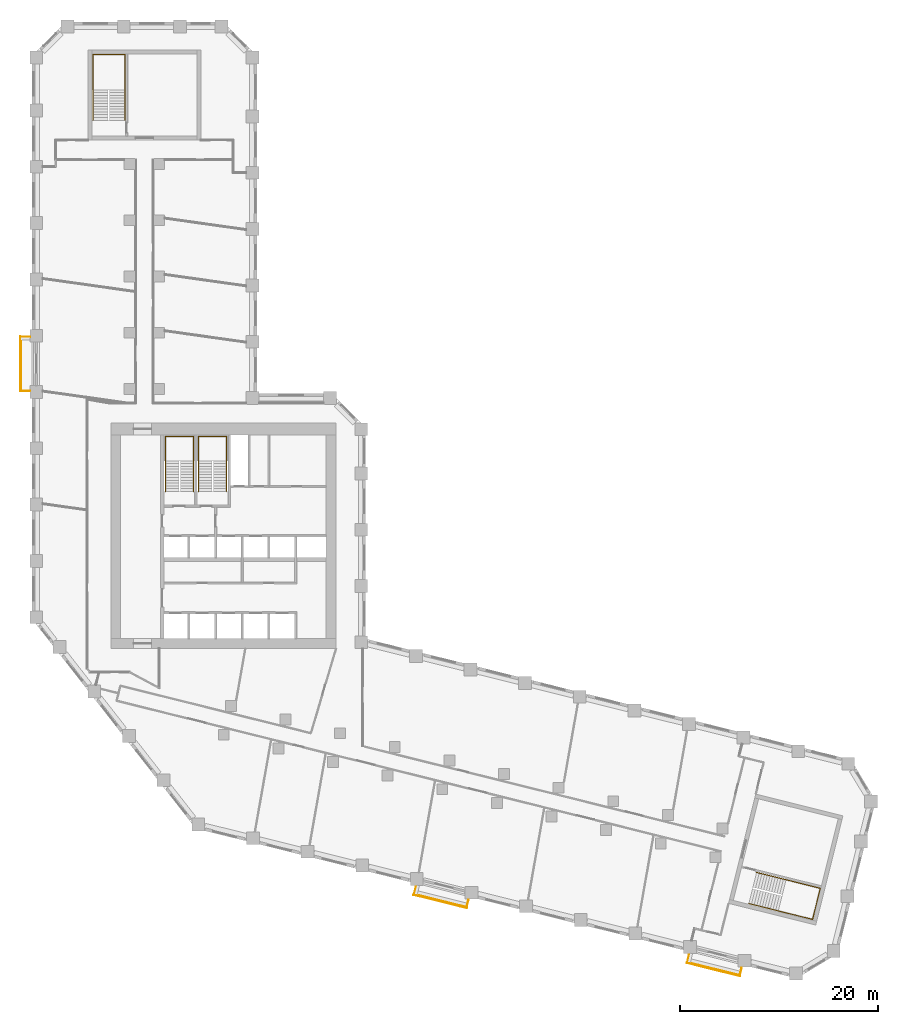
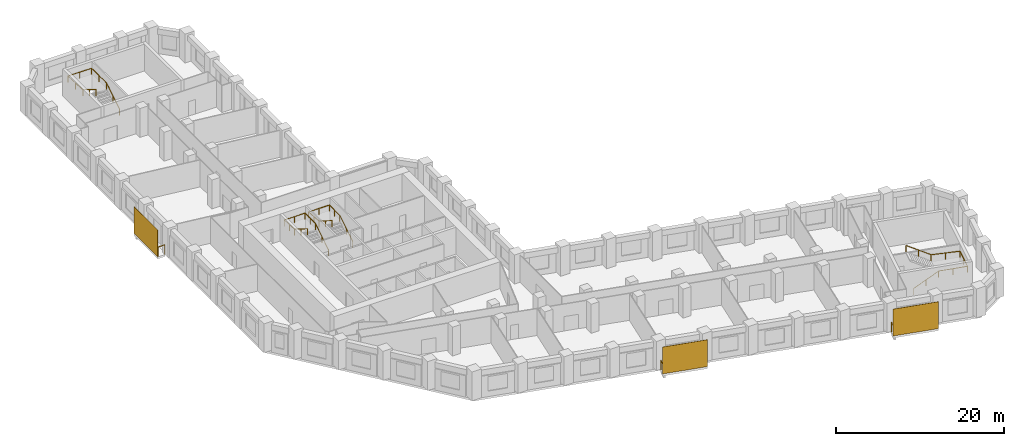
# One storey, part 10 of 10: 7 railings, 3 shading devices.
"""IFC4 building model written with IfcOpenShell, lengths in metres."""

from ifc_helpers import new_model, si_unit, direction, frame, origin, origin_2d, place, context, subcontext, project, spatial, rectangle, circle, extrude, material, layer, layer_set, type_object, element, save


model = new_model("IFC4")

# Units and contexts
model_context = context("Model", 3, precision=1e-05, world=origin(), true_north=direction((0.0, 1.0)))
body_context = subcontext(model_context, "Body", "Model", "MODEL_VIEW")
ifc_project = project(units=[si_unit("LENGTHUNIT", "METRE"), si_unit("AREAUNIT", "SQUARE_METRE"), si_unit("VOLUMEUNIT", "CUBIC_METRE"), si_unit("PLANEANGLEUNIT", "RADIAN"), si_unit("MASSUNIT", "GRAM", prefix="KILO")], contexts=[model_context])

# Site, building, storey
site_placement = place(None, origin())
site = spatial("IfcSite", under=ifc_project, at=site_placement, CompositionType="ELEMENT")
building_placement = place(site_placement, origin())
building = spatial("IfcBuilding", under=site, at=building_placement, Name="Meshkara Civic Tower", CompositionType="ELEMENT")
storey_placement = place(building_placement, frame((0.0, 0.0, 118.199951171875)))
storey = spatial("IfcBuildingStorey", under=building, at=storey_placement, Name="L26", CompositionType="ELEMENT", Elevation=118.199951171875)

# Railings
ifc_material_1 = material(Name="Steel S355", Category="steel")
railing_type_1 = type_object("IfcRailingType", Name="BALUSTRADE GUARD 1400", PredefinedType="BALUSTRADE", material=ifc_material_1)
railing_1_placement = place(storey_placement, frame((-0.199951171875, 45.635009765625, 0.0)))
element("IfcRailing", 1, at=railing_1_placement, inside=storey, type_object=railing_type_1, Name="Balcony guard", PredefinedType="BALUSTRADE", context=body_context, shape_type="SweptSolid", body=[
    extrude(circle(Radius=0.02392578125, at=origin_2d()), frame((0.0, 0.0, 1.3759765625), z_axis=(-1.0, 0.0, 0.0), x_axis=(0.0, -1.0, 0.0)), (0.0, 0.0, 1.0), 0.91015625),
    extrude(circle(Radius=0.02392578125, at=origin_2d()), frame((-0.91015625, 0.0, 1.3759765625), z_axis=(0.0, -1.0, 0.0), x_axis=(1.0, 0.0, 0.0)), (0.0, 0.0, 1.0), 5.4599609375),
    extrude(circle(Radius=0.02392578125, at=origin_2d()), frame((-0.91015625, -5.4599609375, 1.3759765625), z_axis=(1.0, 0.0, 0.0), x_axis=(0.0, 1.0, 0.0)), (0.0, 0.0, 1.0), 0.91015625),
    extrude(circle(Radius=0.02099609375, at=origin_2d()), origin(), (0.0, 0.0, 1.0), 1.351806640625),
    extrude(circle(Radius=0.02099609375, at=origin_2d()), frame((-0.91015625, 0.0, 0.0)), (0.0, 0.0, 1.0), 1.351806640625),
    extrude(circle(Radius=0.02099609375, at=origin_2d()), frame((-0.91015625, -1.092041015625, 0.0)), (0.0, 0.0, 1.0), 1.351806640625),
    extrude(circle(Radius=0.02099609375, at=origin_2d()), frame((-0.91015625, -2.18408203125, 0.0)), (0.0, 0.0, 1.0), 1.351806640625),
    extrude(circle(Radius=0.02099609375, at=origin_2d()), frame((-0.91015625, -3.27587890625, 0.0)), (0.0, 0.0, 1.0), 1.351806640625),
    extrude(circle(Radius=0.02099609375, at=origin_2d()), frame((-0.91015625, -4.367919921875, 0.0)), (0.0, 0.0, 1.0), 1.351806640625),
    extrude(circle(Radius=0.02099609375, at=origin_2d()), frame((-0.91015625, -5.4599609375, 0.0)), (0.0, 0.0, 1.0), 1.351806640625),
    extrude(circle(Radius=0.02099609375, at=origin_2d()), frame((0.0, -5.4599609375, 0.0)), (0.0, 0.0, 1.0), 1.351806640625),
])
railing_2_placement = place(storey_placement, frame((38.89990234375, -10.047119140625, 0.0)))
element("IfcRailing", 2, at=railing_2_placement, inside=storey, type_object=railing_type_1, Name="Balcony guard", PredefinedType="BALUSTRADE", context=body_context, shape_type="SweptSolid", body=[
    extrude(circle(Radius=0.02392578125, at=origin_2d()), frame((0.0, 0.0, 1.3759765625), z_axis=(-0.242312323582, -0.970198298205, 0.0), x_axis=(0.970198298205, -0.242312323582, 0.0)), (0.0, 0.0, 1.0), 0.771728515625),
    extrude(circle(Radius=0.02392578125, at=origin_2d()), frame((-0.18701171875, -0.748779296875, 1.3759765625), z_axis=(0.970292231073, -0.24193591366, 0.0), x_axis=(0.24193591366, 0.970292231073, 0.0)), (0.0, 0.0, 1.0), 5.460205078125),
    extrude(circle(Radius=0.02392578125, at=origin_2d()), frame((5.111083984375, -2.06982421875, 1.3759765625), z_axis=(0.242237978263, 0.970216863329, 0.0), x_axis=(-0.970216863329, 0.242237978263, 0.0)), (0.0, 0.0, 1.0), 0.77197265625),
    extrude(circle(Radius=0.02099609375, at=origin_2d()), origin(), (0.0, 0.0, 1.0), 1.351806640625),
    extrude(circle(Radius=0.02099609375, at=origin_2d()), frame((-0.18701171875, -0.748779296875, 0.0)), (0.0, 0.0, 1.0), 1.351806640625),
    extrude(circle(Radius=0.02099609375, at=origin_2d()), frame((0.87255859375, -1.012939453125, 0.0)), (0.0, 0.0, 1.0), 1.351806640625),
    extrude(circle(Radius=0.02099609375, at=origin_2d()), frame((1.93212890625, -1.277099609375, 0.0)), (0.0, 0.0, 1.0), 1.351806640625),
    extrude(circle(Radius=0.02099609375, at=origin_2d()), frame((2.991943359375, -1.54150390625, 0.0)), (0.0, 0.0, 1.0), 1.351806640625),
    extrude(circle(Radius=0.02099609375, at=origin_2d()), frame((4.051513671875, -1.8056640625, 0.0)), (0.0, 0.0, 1.0), 1.351806640625),
    extrude(circle(Radius=0.02099609375, at=origin_2d()), frame((5.111083984375, -2.06982421875, 0.0)), (0.0, 0.0, 1.0), 1.351806640625),
    extrude(circle(Radius=0.02099609375, at=origin_2d()), frame((5.298095703125, -1.32080078125, 0.0)), (0.0, 0.0, 1.0), 1.351806640625),
])
railing_3_placement = place(storey_placement, frame((66.552978515625, -16.94091796875, 0.0)))
element("IfcRailing", 3, at=railing_3_placement, inside=storey, type_object=railing_type_1, Name="Balcony guard", PredefinedType="BALUSTRADE", context=body_context, shape_type="SweptSolid", body=[
    extrude(circle(Radius=0.02392578125, at=origin_2d()), frame((0.0, 0.0, 1.3759765625), z_axis=(-0.241941038466, -0.970290953223, 0.0), x_axis=(0.970290953223, -0.241941038466, 0.0)), (0.0, 0.0, 1.0), 0.77294921875),
    extrude(circle(Radius=0.02392578125, at=origin_2d()), frame((-0.18701171875, -0.75, 1.3759765625), z_axis=(0.97033420246, -0.241767523741, 0.0), x_axis=(0.241767523741, 0.97033420246, 0.0)), (0.0, 0.0, 1.0), 5.4599609375),
    extrude(circle(Radius=0.02392578125, at=origin_2d()), frame((5.111083984375, -2.070068359375, 1.3759765625), z_axis=(0.242237978263, 0.970216863329, 0.0), x_axis=(-0.970216863329, 0.242237978263, 0.0)), (0.0, 0.0, 1.0), 0.77197265625),
    extrude(circle(Radius=0.02099609375, at=origin_2d()), origin(), (0.0, 0.0, 1.0), 1.351806640625),
    extrude(circle(Radius=0.02099609375, at=origin_2d()), frame((-0.18701171875, -0.75, 0.0)), (0.0, 0.0, 1.0), 1.351806640625),
    extrude(circle(Radius=0.02099609375, at=origin_2d()), frame((0.87255859375, -1.013916015625, 0.0)), (0.0, 0.0, 1.0), 1.351806640625),
    extrude(circle(Radius=0.02099609375, at=origin_2d()), frame((1.93212890625, -1.278076171875, 0.0)), (0.0, 0.0, 1.0), 1.351806640625),
    extrude(circle(Radius=0.02099609375, at=origin_2d()), frame((2.991943359375, -1.5419921875, 0.0)), (0.0, 0.0, 1.0), 1.351806640625),
    extrude(circle(Radius=0.02099609375, at=origin_2d()), frame((4.051513671875, -1.80615234375, 0.0)), (0.0, 0.0, 1.0), 1.351806640625),
    extrude(circle(Radius=0.02099609375, at=origin_2d()), frame((5.111083984375, -2.070068359375, 0.0)), (0.0, 0.0, 1.0), 1.351806640625),
    extrude(circle(Radius=0.02099609375, at=origin_2d()), frame((5.298095703125, -1.321044921875, 0.0)), (0.0, 0.0, 1.0), 1.351806640625),
])

# Shading devices
ifc_material_2 = material(Name="Perforated bronze anodised aluminium sheet", Category="aluminium")
ifc_layer = layer(ifc_material_2, 0.0400390625)
ifc_layer_set = layer_set([ifc_layer], Name="PERFORATED BRONZE SCREEN")
shading_device_type = type_object("IfcShadingDeviceType", Name="PERFORATED BRONZE SCREEN", PredefinedType="USERDEFINED", material=ifc_layer_set)
for number, where, z_axis, x_axis, name in (
    (4, (-1.179931640625, 42.905029296875, 0.0), (0.0, 0.0, 1.0), (0.0, -1.0, 0.0), "Balcony screen"),
    (5, (41.344970703125, -11.52490234375, 0.0), (0.0, 0.0, 1.0), (0.970299948462, -0.241904960708, 0.0), "Balcony screen"),
    (6, (68.998046875, -18.4189453125, 0.0), (0.0, 0.0, 1.0), (0.970299948462, -0.241904960708, 0.0), "Balcony screen"),
):
    element("IfcShadingDevice", number, at=place(storey_placement, frame(where, z_axis=z_axis, x_axis=x_axis)), inside=storey, type_object=shading_device_type, Name=name, ObjectType="SCREEN", PredefinedType="USERDEFINED", context=body_context, shape_type="SweptSolid", body=[
        extrude(rectangle(XDim=5.580078125, YDim=0.0400390625, at=origin_2d()), origin(), (0.0, 0.0, 1.0), 3.89990234375),
    ])

# Railings
ifc_material_3 = material(Name="Steel handrail", Category="steel")
railing_type_2 = type_object("IfcRailingType", Name="Stair handrail 900", PredefinedType="HANDRAIL", material=ifc_material_3)
railing_4_placement = place(storey_placement, frame((16.375, 30.0, 0.175048828125)))
element("IfcRailing", 7, at=railing_4_placement, inside=storey, type_object=railing_type_2, Name="L26 ST1 stair handrail 1", PredefinedType="HANDRAIL", context=body_context, shape_type="SweptSolid", body=[
    extrude(circle(Radius=0.02392578125, at=origin_2d()), frame((0.0, 0.0, 0.8759765625), z_axis=(0.0, 0.847998304005, 0.529998940003), x_axis=(-1.0, 0.0, 0.0)), (0.0, 0.0, 1.0), 3.632080078125),
    extrude(circle(Radius=0.02392578125, at=origin_2d()), frame((0.0, 3.080078125, 2.80078125), z_axis=(0.0, 1.0, 0.0), x_axis=(-1.0, 0.0, 0.0)), (0.0, 0.0, 1.0), 2.469970703125),
    extrude(circle(Radius=0.02392578125, at=origin_2d()), frame((0.0, 5.550048828125, 2.80078125), z_axis=(-1.0, 0.0, 0.0), x_axis=(0.0, -1.0, 0.0)), (0.0, 0.0, 1.0), 2.85009765625),
    extrude(circle(Radius=0.02392578125, at=origin_2d()), frame((-2.85009765625, 5.550048828125, 2.80078125), z_axis=(0.0, -0.997498084828, 0.070693498747), x_axis=(1.0, 0.0, 0.0)), (0.0, 0.0, 1.0), 2.47607421875),
    extrude(circle(Radius=0.02392578125, at=origin_2d()), frame((-2.85009765625, 3.080078125, 2.97607421875), z_axis=(0.0, -0.848028513186, 0.529950602248), x_axis=(1.0, 0.0, 0.0)), (0.0, 0.0, 1.0), 3.632080078125),
    extrude(circle(Radius=0.02099609375, at=origin_2d()), origin(), (0.0, 0.0, 1.0), 0.851806640625),
    extrude(circle(Radius=0.02099609375, at=origin_2d()), frame((0.0, 1.5400390625, 0.96240234375)), (0.0, 0.0, 1.0), 0.851806640625),
    extrude(circle(Radius=0.02099609375, at=origin_2d()), frame((0.0, 3.080078125, 1.925048828125)), (0.0, 0.0, 1.0), 0.851806640625),
    extrude(circle(Radius=0.02099609375, at=origin_2d()), frame((0.0, 4.31494140625, 1.925048828125)), (0.0, 0.0, 1.0), 0.851806640625),
    extrude(circle(Radius=0.02099609375, at=origin_2d()), frame((0.0, 5.550048828125, 1.925048828125)), (0.0, 0.0, 1.0), 0.851806640625),
    extrude(circle(Radius=0.02099609375, at=origin_2d()), frame((-1.425048828125, 5.550048828125, 1.925048828125)), (0.0, 0.0, 1.0), 0.851806640625),
    extrude(circle(Radius=0.02099609375, at=origin_2d()), frame((-2.85009765625, 5.550048828125, 1.925048828125)), (0.0, 0.0, 1.0), 0.851806640625),
    extrude(circle(Radius=0.02099609375, at=origin_2d()), frame((-2.85009765625, 4.31494140625, 2.0126953125)), (0.0, 0.0, 1.0), 0.851806640625),
    extrude(circle(Radius=0.02099609375, at=origin_2d()), frame((-2.85009765625, 3.080078125, 2.10009765625)), (0.0, 0.0, 1.0), 0.851806640625),
    extrude(circle(Radius=0.02099609375, at=origin_2d()), frame((-2.85009765625, 1.5400390625, 3.0625)), (0.0, 0.0, 1.0), 0.851806640625),
    extrude(circle(Radius=0.02099609375, at=origin_2d()), frame((-2.85009765625, 0.0, 4.02490234375)), (0.0, 0.0, 1.0), 0.851806640625),
])
railing_5_placement = place(storey_placement, frame((19.72509765625, 30.0, 0.175048828125)))
element("IfcRailing", 8, at=railing_5_placement, inside=storey, type_object=railing_type_2, Name="L26 ST2 stair handrail 1", PredefinedType="HANDRAIL", context=body_context, shape_type="SweptSolid", body=[
    extrude(circle(Radius=0.02392578125, at=origin_2d()), frame((0.0, 0.0, 0.8759765625), z_axis=(0.0, 0.847998304005, 0.529998940003), x_axis=(-1.0, 0.0, 0.0)), (0.0, 0.0, 1.0), 3.632080078125),
    extrude(circle(Radius=0.02392578125, at=origin_2d()), frame((0.0, 3.080078125, 2.80078125), z_axis=(0.0, 1.0, 0.0), x_axis=(-1.0, 0.0, 0.0)), (0.0, 0.0, 1.0), 2.469970703125),
    extrude(circle(Radius=0.02392578125, at=origin_2d()), frame((0.0, 5.550048828125, 2.80078125), z_axis=(-1.0, 0.0, 0.0), x_axis=(0.0, -1.0, 0.0)), (0.0, 0.0, 1.0), 2.85009765625),
    extrude(circle(Radius=0.02392578125, at=origin_2d()), frame((-2.85009765625, 5.550048828125, 2.80078125), z_axis=(0.0, -0.997498084828, 0.070693498747), x_axis=(1.0, 0.0, 0.0)), (0.0, 0.0, 1.0), 2.47607421875),
    extrude(circle(Radius=0.02392578125, at=origin_2d()), frame((-2.85009765625, 3.080078125, 2.97607421875), z_axis=(0.0, -0.848028513186, 0.529950602248), x_axis=(1.0, 0.0, 0.0)), (0.0, 0.0, 1.0), 3.632080078125),
    extrude(circle(Radius=0.02099609375, at=origin_2d()), origin(), (0.0, 0.0, 1.0), 0.851806640625),
    extrude(circle(Radius=0.02099609375, at=origin_2d()), frame((0.0, 1.5400390625, 0.96240234375)), (0.0, 0.0, 1.0), 0.851806640625),
    extrude(circle(Radius=0.02099609375, at=origin_2d()), frame((0.0, 3.080078125, 1.925048828125)), (0.0, 0.0, 1.0), 0.851806640625),
    extrude(circle(Radius=0.02099609375, at=origin_2d()), frame((0.0, 4.31494140625, 1.925048828125)), (0.0, 0.0, 1.0), 0.851806640625),
    extrude(circle(Radius=0.02099609375, at=origin_2d()), frame((0.0, 5.550048828125, 1.925048828125)), (0.0, 0.0, 1.0), 0.851806640625),
    extrude(circle(Radius=0.02099609375, at=origin_2d()), frame((-1.425048828125, 5.550048828125, 1.925048828125)), (0.0, 0.0, 1.0), 0.851806640625),
    extrude(circle(Radius=0.02099609375, at=origin_2d()), frame((-2.85009765625, 5.550048828125, 1.925048828125)), (0.0, 0.0, 1.0), 0.851806640625),
    extrude(circle(Radius=0.02099609375, at=origin_2d()), frame((-2.85009765625, 4.31494140625, 2.0126953125)), (0.0, 0.0, 1.0), 0.851806640625),
    extrude(circle(Radius=0.02099609375, at=origin_2d()), frame((-2.85009765625, 3.080078125, 2.10009765625)), (0.0, 0.0, 1.0), 0.851806640625),
    extrude(circle(Radius=0.02099609375, at=origin_2d()), frame((-2.85009765625, 1.5400390625, 3.0625)), (0.0, 0.0, 1.0), 0.851806640625),
    extrude(circle(Radius=0.02099609375, at=origin_2d()), frame((-2.85009765625, 0.0, 4.02490234375)), (0.0, 0.0, 1.0), 0.851806640625),
])
railing_6_placement = place(storey_placement, frame((9.425048828125, 67.570068359375, 0.175048828125)))
element("IfcRailing", 9, at=railing_6_placement, inside=storey, type_object=railing_type_2, Name="L26 ESA2 stair handrail 1", PredefinedType="HANDRAIL", context=body_context, shape_type="SweptSolid", body=[
    extrude(circle(Radius=0.02392578125, at=origin_2d()), frame((0.0, 0.0, 0.8759765625), z_axis=(0.0, 0.847979421464, 0.530029150871), x_axis=(-1.0, 0.0, 0.0)), (0.0, 0.0, 1.0), 3.632080078125),
    extrude(circle(Radius=0.02392578125, at=origin_2d()), frame((0.0, 3.079833984375, 2.80078125), z_axis=(0.0, 1.0, 0.0), x_axis=(-1.0, 0.0, 0.0)), (0.0, 0.0, 1.0), 3.570068359375),
    extrude(circle(Radius=0.02392578125, at=origin_2d()), frame((0.0, 6.64990234375, 2.80078125), z_axis=(-1.0, 0.0, 0.0), x_axis=(0.0, -1.0, 0.0)), (0.0, 0.0, 1.0), 3.25),
    extrude(circle(Radius=0.02392578125, at=origin_2d()), frame((-3.25, 6.64990234375, 2.80078125), z_axis=(0.0, -0.998800077689, 0.048973511297), x_axis=(1.0, 0.0, 0.0)), (0.0, 0.0, 1.0), 3.574462890625),
    extrude(circle(Radius=0.02392578125, at=origin_2d()), frame((-3.25, 3.079833984375, 2.97607421875), z_axis=(0.0, -0.848009633417, 0.529980812513), x_axis=(1.0, 0.0, 0.0)), (0.0, 0.0, 1.0), 3.6318359375),
    extrude(circle(Radius=0.02099609375, at=origin_2d()), origin(), (0.0, 0.0, 1.0), 0.851806640625),
    extrude(circle(Radius=0.02099609375, at=origin_2d()), frame((0.0, 1.5400390625, 0.96240234375)), (0.0, 0.0, 1.0), 0.851806640625),
    extrude(circle(Radius=0.02099609375, at=origin_2d()), frame((0.0, 3.079833984375, 1.925048828125)), (0.0, 0.0, 1.0), 0.851806640625),
    extrude(circle(Radius=0.02099609375, at=origin_2d()), frame((0.0, 4.86474609375, 1.925048828125)), (0.0, 0.0, 1.0), 0.851806640625),
    extrude(circle(Radius=0.02099609375, at=origin_2d()), frame((0.0, 6.64990234375, 1.925048828125)), (0.0, 0.0, 1.0), 0.851806640625),
    extrude(circle(Radius=0.02099609375, at=origin_2d()), frame((-1.625, 6.64990234375, 1.925048828125)), (0.0, 0.0, 1.0), 0.851806640625),
    extrude(circle(Radius=0.02099609375, at=origin_2d()), frame((-3.25, 6.64990234375, 1.925048828125)), (0.0, 0.0, 1.0), 0.851806640625),
    extrude(circle(Radius=0.02099609375, at=origin_2d()), frame((-3.25, 4.86474609375, 2.0126953125)), (0.0, 0.0, 1.0), 0.851806640625),
    extrude(circle(Radius=0.02099609375, at=origin_2d()), frame((-3.25, 3.079833984375, 2.10009765625)), (0.0, 0.0, 1.0), 0.851806640625),
    extrude(circle(Radius=0.02099609375, at=origin_2d()), frame((-3.25, 1.5400390625, 3.0625)), (0.0, 0.0, 1.0), 0.851806640625),
    extrude(circle(Radius=0.02099609375, at=origin_2d()), frame((-3.25, 0.0, 4.02490234375)), (0.0, 0.0, 1.0), 0.851806640625),
])
railing_7_placement = place(storey_placement, frame((72.587158203125, -11.73388671875, 0.175048828125)))
element("IfcRailing", 10, at=railing_7_placement, inside=storey, type_object=railing_type_2, Name="L26 ESB2 stair handrail 1", PredefinedType="HANDRAIL", context=body_context, shape_type="SweptSolid", body=[
    extrude(circle(Radius=0.02392578125, at=origin_2d()), frame((0.0, 0.0, 0.8759765625), z_axis=(0.82276025377, -0.205286749593, 0.530021617727), x_axis=(0.242087961707, 0.97025430625, 0.0)), (0.0, 0.0, 1.0), 3.632080078125),
    extrude(circle(Radius=0.02392578125, at=origin_2d()), frame((2.98828125, -0.74560546875, 2.80078125), z_axis=(0.97025503065, -0.242085058395, 0.0), x_axis=(0.242085058395, 0.97025503065, 0.0)), (0.0, 0.0, 1.0), 3.570068359375),
    extrude(circle(Radius=0.02392578125, at=origin_2d()), frame((6.4521484375, -1.60986328125, 2.80078125), z_axis=(0.242040676986, 0.970266103027, 0.0), x_axis=(-0.970266103027, 0.242040676986, 0.0)), (0.0, 0.0, 1.0), 3.25),
    extrude(circle(Radius=0.02392578125, at=origin_2d()), frame((7.23876953125, 1.54345703125, 2.80078125), z_axis=(-0.969090793551, 0.241794573525, 0.048973646672), x_axis=(-0.242085058395, -0.97025503065, 0.0)), (0.0, 0.0, 1.0), 3.574462890625),
    extrude(circle(Radius=0.02392578125, at=origin_2d()), frame((3.77490234375, 2.40771484375, 2.97607421875), z_axis=(-0.822789566377, 0.205294063375, 0.529973279519), x_axis=(-0.242087961707, -0.97025430625, 0.0)), (0.0, 0.0, 1.0), 3.6318359375),
    extrude(circle(Radius=0.02099609375, at=origin_2d()), origin(), (0.0, 0.0, 1.0), 0.851806640625),
    extrude(circle(Radius=0.02099609375, at=origin_2d()), frame((1.494140625, -0.372802734375, 0.96240234375)), (0.0, 0.0, 1.0), 0.851806640625),
    extrude(circle(Radius=0.02099609375, at=origin_2d()), frame((2.98828125, -0.74560546875, 1.925048828125)), (0.0, 0.0, 1.0), 0.851806640625),
    extrude(circle(Radius=0.02099609375, at=origin_2d()), frame((4.72021484375, -1.177734375, 1.925048828125)), (0.0, 0.0, 1.0), 0.851806640625),
    extrude(circle(Radius=0.02099609375, at=origin_2d()), frame((6.4521484375, -1.60986328125, 1.925048828125)), (0.0, 0.0, 1.0), 0.851806640625),
    extrude(circle(Radius=0.02099609375, at=origin_2d()), frame((6.845458984375, -0.033203125, 1.925048828125)), (0.0, 0.0, 1.0), 0.851806640625),
    extrude(circle(Radius=0.02099609375, at=origin_2d()), frame((7.23876953125, 1.54345703125, 1.925048828125)), (0.0, 0.0, 1.0), 0.851806640625),
    extrude(circle(Radius=0.02099609375, at=origin_2d()), frame((5.5068359375, 1.9755859375, 2.0126953125)), (0.0, 0.0, 1.0), 0.851806640625),
    extrude(circle(Radius=0.02099609375, at=origin_2d()), frame((3.77490234375, 2.40771484375, 2.10009765625)), (0.0, 0.0, 1.0), 0.851806640625),
    extrude(circle(Radius=0.02099609375, at=origin_2d()), frame((2.28076171875, 2.780517578125, 3.0625)), (0.0, 0.0, 1.0), 0.851806640625),
    extrude(circle(Radius=0.02099609375, at=origin_2d()), frame((0.78662109375, 3.1533203125, 4.02490234375)), (0.0, 0.0, 1.0), 0.851806640625),
])

save(model, "model.ifc")
